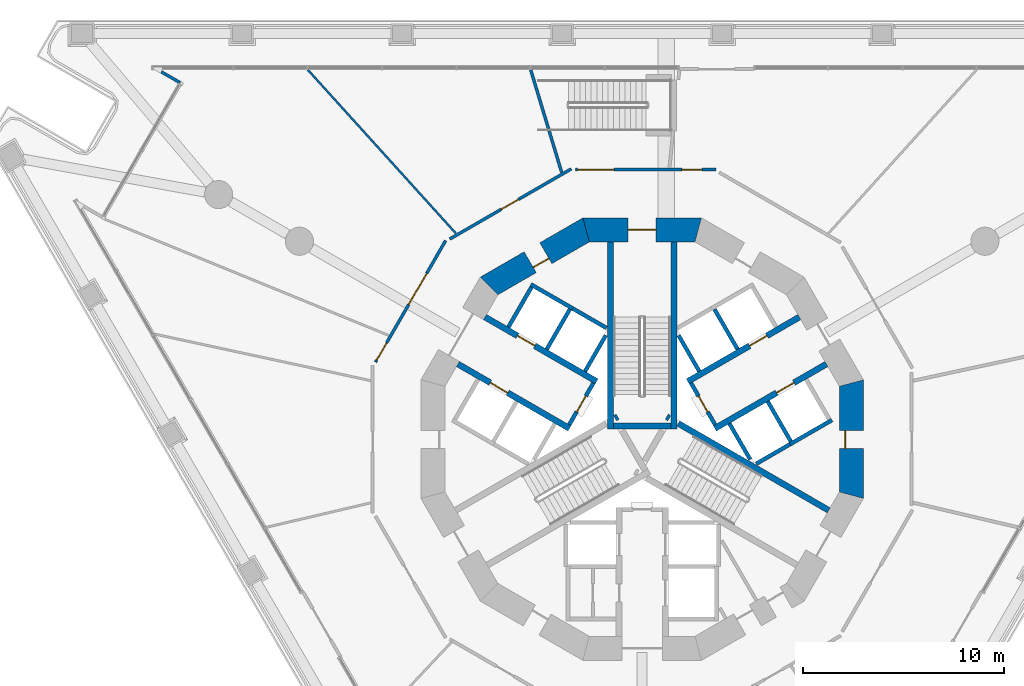
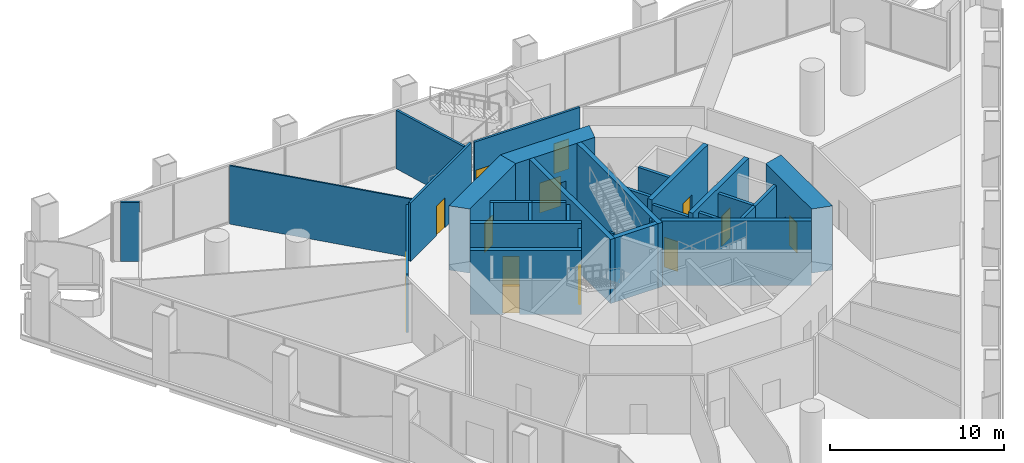
# One storey, part 12 of 21: 32 walls, 14 doors, 14 openings.
"""IFC4 building model written with IfcOpenShell, lengths in metres."""

from ifc_helpers import new_model, si_unit, direction, frame, frame_2d, origin, place, context, subcontext, project, spatial, polyline, rectangle, outline, extrude, material, layer, layer_set, type_object, element, fill, save


model = new_model("IFC4")

# Units and contexts
model_context = context("Model", 3, precision=1e-05, world=origin(), true_north=direction((0.0, 1.0)))
body_context = subcontext(model_context, "Body", "Model", "MODEL_VIEW")
ifc_project = project(units=[si_unit("LENGTHUNIT", "METRE"), si_unit("AREAUNIT", "SQUARE_METRE"), si_unit("VOLUMEUNIT", "CUBIC_METRE"), si_unit("PLANEANGLEUNIT", "RADIAN"), si_unit("MASSUNIT", "GRAM", prefix="KILO")], contexts=[model_context])

# Site, building, storey
site_placement = place(None, origin())
site = spatial("IfcSite", under=ifc_project, at=site_placement, CompositionType="ELEMENT")
building_placement = place(site_placement, origin())
building = spatial("IfcBuilding", under=site, at=building_placement, Name="Trine Commons Tower", CompositionType="ELEMENT")
storey_placement = place(building_placement, frame((0.0, 0.0, 9.0)))
storey = spatial("IfcBuildingStorey", under=building, at=storey_placement, Name="L01", CompositionType="ELEMENT", Elevation=9.0)

# Wall, openings, doors
ifc_material_1 = material(Name="Plasterboard on steel stud", Category="steel")
ifc_layer_1 = layer(ifc_material_1, 0.14990234375)
ifc_layer_set_1 = layer_set([ifc_layer_1], Name="Plasterboard on steel stud")
wall_type_1 = type_object("IfcWallType", Name="Compartment wall 150 mm, EI 60", PredefinedType="PARTITIONING", material=ifc_layer_set_1)
wall_1_placement = place(storey_placement, frame((66.728515625, 66.3359375, 0.0), z_axis=(0.0, 0.0, 1.0), x_axis=(0.49997871953, 0.866037689721, 0.0)))
wall_1 = element("IfcWall", 1, at=wall_1_placement, inside=storey, type_object=wall_type_1, Name="Partition P1007", PredefinedType="PARTITIONING", context=body_context, shape_type="SweptSolid", body=[
    extrude(rectangle(XDim=6.982177734375, YDim=0.14990234375, at=frame_2d((3.4912109375, 0.0))), origin(), (0.0, 0.0, 1.0), 4.10009765625),
])
opening_1_placement = place(wall_1_placement, frame((0.104736328125, 0.0, 0.0)))
opening_1 = element("IfcOpeningElement", 2, at=opening_1_placement, cuts=wall_1, Name="Opening D-P103", PredefinedType="OPENING", context=body_context, shape_type="SweptSolid", body=[
    extrude(rectangle(XDim=1.0, YDim=2.10009765625, at=frame_2d((0.5, 1.050048828125))), frame((0.0, 0.0849609375, 0.0), z_axis=(0.0, -1.0, 0.0), x_axis=(1.0, 0.0, 0.0)), (0.0, 0.0, 1.0), 0.169921875),
])
opening_2_placement = place(wall_1_placement, frame((3.298095703125, 0.0, 0.0)))
opening_2 = element("IfcOpeningElement", 3, at=opening_2_placement, cuts=wall_1, Name="Opening D-P104", PredefinedType="OPENING", context=body_context, shape_type="SweptSolid", body=[
    extrude(rectangle(XDim=1.800048828125, YDim=2.10009765625, at=frame_2d((0.89990234375, 1.050048828125))), frame((0.0, 0.0849609375, 0.0), z_axis=(0.0, -1.0, 0.0), x_axis=(1.0, 0.0, 0.0)), (0.0, 0.0, 1.0), 0.169921875),
])
ifc_material_2 = material(Name="Timber fire door set", Category="wood")
door_type_1 = type_object("IfcDoorType", Name="Double swing door 1800x2100, FD30S", OperationType="DOUBLE_DOOR_DOUBLE_SWING", PredefinedType="DOOR", material=ifc_material_2)
door_1_placement = place(opening_2_placement, origin())
door_1 = element("IfcDoor", 4, at=door_1_placement, inside=storey, type_object=door_type_1, Name="Door D-P104", OperationType="DOUBLE_DOOR_DOUBLE_SWING", OverallHeight=2.10009765625, OverallWidth=1.800048828125, PredefinedType="DOOR", context=body_context, shape_type="SweptSolid", body=[
    extrude(rectangle(XDim=1.800048828125, YDim=2.10009765625, at=frame_2d((0.89990234375, 1.050048828125))), frame((0.0, 0.02490234375, 0.0), z_axis=(0.0, -1.0, 0.0), x_axis=(1.0, 0.0, 0.0)), (0.0, 0.0, 1.0), 0.050048828125),
])
fill(opening_2, door_1)
door_type_2 = type_object("IfcDoorType", Name="Single swing door 1000x2100, FD30S", OperationType="SINGLE_SWING_LEFT", PredefinedType="DOOR", material=ifc_material_2)
door_2_placement = place(opening_1_placement, origin())
door_2 = element("IfcDoor", 5, at=door_2_placement, inside=storey, type_object=door_type_2, Name="Door D-P103", OperationType="SINGLE_SWING_LEFT", OverallHeight=2.10009765625, OverallWidth=1.0, PredefinedType="DOOR", context=body_context, shape_type="SweptSolid", body=[
    extrude(rectangle(XDim=1.0, YDim=2.10009765625, at=frame_2d((0.5, 1.050048828125))), frame((0.0, 0.02490234375, 0.0), z_axis=(0.0, -1.0, 0.0), x_axis=(1.0, 0.0, 0.0)), (0.0, 0.0, 1.0), 0.050048828125),
])
fill(opening_1, door_2)

# Wall, opening, door
wall_2_placement = place(storey_placement, frame((70.424560546875, 72.4580078125, 0.0), z_axis=(0.0, 0.0, 1.0), x_axis=(0.866037689721, 0.49997871953, 0.0)))
wall_2 = element("IfcWall", 6, at=wall_2_placement, inside=storey, type_object=wall_type_1, Name="Partition P1010", PredefinedType="PARTITIONING", context=body_context, shape_type="SweptSolid", body=[
    extrude(rectangle(XDim=6.982177734375, YDim=0.14990234375, at=frame_2d((3.4912109375, 0.0))), origin(), (0.0, 0.0, 1.0), 4.10009765625),
])
opening_3_placement = place(wall_2_placement, frame((2.942626953125, 0.0, 0.0)))
opening_3 = element("IfcOpeningElement", 7, at=opening_3_placement, cuts=wall_2, Name="Opening D-P105", PredefinedType="OPENING", context=body_context, shape_type="SweptSolid", body=[
    extrude(rectangle(XDim=1.0, YDim=2.10009765625, at=frame_2d((0.5, 1.050048828125))), frame((0.0, 0.0849609375, 0.0), z_axis=(0.0, -1.0, 0.0), x_axis=(1.0, 0.0, 0.0)), (0.0, 0.0, 1.0), 0.169921875),
])
door_3_placement = place(opening_3_placement, origin())
door_3 = element("IfcDoor", 8, at=door_3_placement, inside=storey, type_object=door_type_2, Name="Door D-P105", OperationType="SINGLE_SWING_LEFT", OverallHeight=2.10009765625, OverallWidth=1.0, PredefinedType="DOOR", context=body_context, shape_type="SweptSolid", body=[
    extrude(rectangle(XDim=1.0, YDim=2.10009765625, at=frame_2d((0.5, 1.050048828125))), frame((0.0, 0.02490234375, 0.0), z_axis=(0.0, -1.0, 0.0), x_axis=(1.0, 0.0, 0.0)), (0.0, 0.0, 1.0), 0.050048828125),
])
fill(opening_3, door_3)

# Wall
wall_3_placement = place(storey_placement, frame((74.451416015625, 80.884521484375, 0.0), z_axis=(0.0, 0.0, 1.0), x_axis=(0.288947597312, -0.95734491486, 0.0)))
element("IfcWall", 9, at=wall_3_placement, inside=storey, type_object=wall_type_1, Name="Partition P1013", PredefinedType="PARTITIONING", context=body_context, shape_type="SweptSolid", body=[
    extrude(rectangle(XDim=5.333251953125, YDim=0.14990234375, at=frame_2d((2.66650390625, 0.0))), origin(), (0.0, 0.0, 1.0), 4.10009765625),
])

# Wall, openings, doors
wall_4_placement = place(storey_placement, frame((76.686279296875, 75.91162109375, 0.0), z_axis=(0.0, 0.0, 1.0), x_axis=(1.0, 0.0, 0.0)))
wall_4 = element("IfcWall", 10, at=wall_4_placement, inside=storey, type_object=wall_type_1, Name="Partition P1016", PredefinedType="PARTITIONING", context=body_context, shape_type="SweptSolid", body=[
    extrude(rectangle(XDim=6.982421875, YDim=0.14990234375, at=frame_2d((3.4912109375, 0.0))), origin(), (0.0, 0.0, 1.0), 4.10009765625),
])
opening_4_placement = place(wall_4_placement, frame((0.10009765625, 0.0, 0.0)))
opening_4 = element("IfcOpeningElement", 11, at=opening_4_placement, cuts=wall_4, Name="Opening D-P109", PredefinedType="OPENING", context=body_context, shape_type="SweptSolid", body=[
    extrude(rectangle(XDim=1.800048828125, YDim=2.10009765625, at=frame_2d((0.89990234375, 1.050048828125))), frame((0.0, 0.0849609375, 0.0), z_axis=(0.0, -1.0, 0.0), x_axis=(1.0, 0.0, 0.0)), (0.0, 0.0, 1.0), 0.169921875),
])
opening_5_placement = place(wall_4_placement, frame((5.284912109375, 0.0, 0.0)))
opening_5 = element("IfcOpeningElement", 12, at=opening_5_placement, cuts=wall_4, Name="Opening D-P110", PredefinedType="OPENING", context=body_context, shape_type="SweptSolid", body=[
    extrude(rectangle(XDim=1.0, YDim=2.10009765625, at=frame_2d((0.5, 1.050048828125))), frame((0.0, 0.0849609375, 0.0), z_axis=(0.0, -1.0, 0.0), x_axis=(1.0, 0.0, 0.0)), (0.0, 0.0, 1.0), 0.169921875),
])
door_4_placement = place(opening_4_placement, origin())
door_4 = element("IfcDoor", 13, at=door_4_placement, inside=storey, type_object=door_type_1, Name="Door D-P109", OperationType="DOUBLE_DOOR_DOUBLE_SWING", OverallHeight=2.10009765625, OverallWidth=1.800048828125, PredefinedType="DOOR", context=body_context, shape_type="SweptSolid", body=[
    extrude(rectangle(XDim=1.800048828125, YDim=2.10009765625, at=frame_2d((0.89990234375, 1.050048828125))), frame((0.0, 0.02490234375, 0.0), z_axis=(0.0, -1.0, 0.0), x_axis=(1.0, 0.0, 0.0)), (0.0, 0.0, 1.0), 0.050048828125),
])
fill(opening_4, door_4)
door_5_placement = place(opening_5_placement, origin())
door_5 = element("IfcDoor", 14, at=door_5_placement, inside=storey, type_object=door_type_2, Name="Door D-P110", OperationType="SINGLE_SWING_LEFT", OverallHeight=2.10009765625, OverallWidth=1.0, PredefinedType="DOOR", context=body_context, shape_type="SweptSolid", body=[
    extrude(rectangle(XDim=1.0, YDim=2.10009765625, at=frame_2d((0.5, 1.050048828125))), frame((0.0, 0.02490234375, 0.0), z_axis=(0.0, -1.0, 0.0), x_axis=(1.0, 0.0, 0.0)), (0.0, 0.0, 1.0), 0.050048828125),
])
fill(opening_5, door_5)

# Wall
ifc_material_3 = material(Name="Aluminium-framed insulated wall panel", Category="aluminium")
ifc_layer_2 = layer(ifc_material_3, 0.14990234375)
ifc_layer_set_2 = layer_set([ifc_layer_2], Name="Aluminium-framed insulated wall panel")
wall_type_2 = type_object("IfcWallType", Name="Glazed frame wall 150, EI 60", PredefinedType="SOLIDWALL", material=ifc_layer_set_2)
wall_5_placement = place(storey_placement, frame((57.104248046875, 80.181884765625, 0.0), z_axis=(0.0, 0.0, 1.0), x_axis=(-0.86606770004, 0.49992673358, 0.0)))
element("IfcWall", 15, at=wall_5_placement, inside=storey, type_object=wall_type_2, Name="Glazed frame wall L01 R3", PredefinedType="SOLIDWALL", context=body_context, shape_type="SweptSolid", body=[
    extrude(outline(polyline([(0.110107421875, 0.074951171875), (0.110107421875, -0.074951171875), (1.19580078125, -0.074951171875), (1.19580078125, 0.074951171875), (0.110107421875, 0.074951171875)])), origin(), (0.0, 0.0, 1.0), 4.14990234375),
])

# Wall, opening, door
ifc_material_4 = material(Name="Fire-rated gypsum shaft wall system")
ifc_layer_3 = layer(ifc_material_4, 0.199951171875)
ifc_layer_set_3 = layer_set([ifc_layer_3], Name="Fire-rated gypsum shaft wall system")
wall_type_3 = type_object("IfcWallType", Name="Lobby end wall 200 mm, EI 120", PredefinedType="PARTITIONING", material=ifc_layer_set_3)
wall_6_placement = place(storey_placement, frame((77.569091796875, 65.2890625, 0.0), z_axis=(0.0, 0.0, 1.0), x_axis=(-0.50012165622, -0.865955154139, 0.0)))
wall_6 = element("IfcWall", 16, at=wall_6_placement, inside=storey, type_object=wall_type_3, Name="Lobby end wall L01", PredefinedType="PARTITIONING", context=body_context, shape_type="SweptSolid", body=[
    extrude(rectangle(XDim=2.39990234375, YDim=0.199951171875, at=frame_2d((1.199951171875, 0.0))), origin(), (0.0, 0.0, 1.0), 4.14990234375),
])
opening_6_placement = place(wall_6_placement, frame((0.749755859375, 0.0, 0.0)))
opening_6 = element("IfcOpeningElement", 17, at=opening_6_placement, cuts=wall_6, Name="Opening K04.07", PredefinedType="OPENING", context=body_context, shape_type="SweptSolid", body=[
    extrude(rectangle(XDim=0.89990234375, YDim=2.10009765625, at=frame_2d((0.449951171875, 1.050048828125))), frame((0.0, 0.10986328125, 0.0), z_axis=(0.0, -1.0, 0.0), x_axis=(1.0, 0.0, 0.0)), (0.0, 0.0, 1.0), 0.219970703125),
])
ifc_material_5 = material(Name="Steel door leaf, fire-rated", Category="steel")
door_type_3 = type_object("IfcDoorType", Name="Riser access door, single leaf 900 x 2100, FD60", OperationType="SINGLE_SWING_LEFT", PredefinedType="DOOR", material=ifc_material_5)
door_6_placement = place(opening_6_placement, frame((0.89990234375, 0.0, 0.0), z_axis=(0.0, 0.0, 1.0), x_axis=(-1.0, 0.0, 0.0)))
door_6 = element("IfcDoor", 18, at=door_6_placement, inside=storey, type_object=door_type_3, Name="Riser door, Mechanical riser L01", OperationType="SINGLE_SWING_RIGHT", OverallHeight=2.10009765625, OverallWidth=0.89990234375, PredefinedType="DOOR", context=body_context, shape_type="SweptSolid", body=[
    extrude(rectangle(XDim=0.89990234375, YDim=2.10009765625, at=frame_2d((0.449951171875, 1.050048828125))), frame((0.0, 0.02490234375, 0.0), z_axis=(0.0, -1.0, 0.0), x_axis=(1.0, 0.0, 0.0)), (0.0, 0.0, 1.0), 0.050048828125),
])
fill(opening_6, door_6)

wall_7_placement = place(storey_placement, frame((83.631103515625, 63.2109375, 0.0), z_axis=(0.0, 0.0, 1.0), x_axis=(-0.50012165622, 0.865955154139, 0.0)))
wall_7 = element("IfcWall", 19, at=wall_7_placement, inside=storey, type_object=wall_type_3, Name="Lobby end wall L01", PredefinedType="PARTITIONING", context=body_context, shape_type="SweptSolid", body=[
    extrude(rectangle(XDim=2.39990234375, YDim=0.199951171875, at=frame_2d((1.199951171875, 0.0))), origin(), (0.0, 0.0, 1.0), 4.14990234375),
])
opening_7_placement = place(wall_7_placement, frame((0.749755859375, 0.0, 0.0)))
opening_7 = element("IfcOpeningElement", 20, at=opening_7_placement, cuts=wall_7, Name="Opening K04.05", PredefinedType="OPENING", context=body_context, shape_type="SweptSolid", body=[
    extrude(rectangle(XDim=0.89990234375, YDim=2.10009765625, at=frame_2d((0.449951171875, 1.050048828125))), frame((0.0, 0.10986328125, 0.0), z_axis=(0.0, -1.0, 0.0), x_axis=(1.0, 0.0, 0.0)), (0.0, 0.0, 1.0), 0.219970703125),
])
door_7_placement = place(opening_7_placement, frame((0.89990234375, 0.0, 0.0), z_axis=(0.0, 0.0, 1.0), x_axis=(-1.0, 0.0, 0.0)))
door_7 = element("IfcDoor", 21, at=door_7_placement, inside=storey, type_object=door_type_3, Name="Riser door, Electrical riser L01", OperationType="SINGLE_SWING_LEFT", OverallHeight=2.10009765625, OverallWidth=0.89990234375, PredefinedType="DOOR", context=body_context, shape_type="SweptSolid", body=[
    extrude(rectangle(XDim=0.89990234375, YDim=2.10009765625, at=frame_2d((0.449951171875, 1.050048828125))), frame((0.0, 0.02490234375, 0.0), z_axis=(0.0, -1.0, 0.0), x_axis=(1.0, 0.0, 0.0)), (0.0, 0.0, 1.0), 0.050048828125),
])
fill(opening_7, door_7)

# Wall
ifc_layer_4 = layer(ifc_material_1, 0.10009765625)
ifc_layer_set_4 = layer_set([ifc_layer_4], Name="Plasterboard on steel stud")
wall_type_4 = type_object("IfcWallType", Name="Partition wall 100 mm stud, not rated", PredefinedType="PARTITIONING", material=ifc_layer_set_4)
wall_8_placement = place(storey_placement, frame((63.354736328125, 80.884521484375, 0.0), z_axis=(0.0, 0.0, 1.0), x_axis=(0.671171464025, -0.741302142098, 0.0)))
element("IfcWall", 22, at=wall_8_placement, inside=storey, type_object=wall_type_4, Name="Partition P1004", PredefinedType="PARTITIONING", context=body_context, shape_type="SweptSolid", body=[
    extrude(rectangle(XDim=10.99365234375, YDim=0.10009765625, at=frame_2d((5.496826171875, 0.0))), origin(), (0.0, 0.0, 1.0), 4.10009765625),
])

# Wall, opening, door
ifc_material_6 = material(Name="Concrete C80/95", Category="concrete")
ifc_layer_5 = layer(ifc_material_6, 1.199951171875)
ifc_layer_set_5 = layer_set([ifc_layer_5], Name="Concrete C80/95")
wall_type_5 = type_object("IfcWallType", Name="RC shear wall 1200 mm, C80/95", PredefinedType="SHEAR", material=ifc_layer_set_5)
wall_9_placement = place(storey_placement, frame((90.41162109375, 59.549560546875, 0.0), z_axis=(0.0, 0.0, 1.0), x_axis=(0.0, 1.0, 0.0)))
wall_9 = element("IfcWall", 23, at=wall_9_placement, inside=storey, type_object=wall_type_5, Name="Core wall CWA-01 L01", PredefinedType="SHEAR", context=body_context, shape_type="SweptSolid", body=[
    extrude(outline(polyline([(0.0, -0.60009765625), (5.90087890625, -0.60009765625), (5.57958984375, 0.60009765625), (0.321533203125, 0.60009765625), (0.0, -0.60009765625)])), origin(), (0.0, 0.0, 1.0), 4.5),
])
opening_8_placement = place(wall_9_placement, frame((2.4755859375, 0.0, 0.0)))
opening_8 = element("IfcOpeningElement", 24, at=opening_8_placement, cuts=wall_9, Name="Opening K04.18", PredefinedType="OPENING", context=body_context, shape_type="SweptSolid", body=[
    extrude(rectangle(XDim=0.89990234375, YDim=2.10009765625, at=frame_2d((0.449951171875, 1.050048828125))), frame((0.0, 0.60986328125, 0.0), z_axis=(0.0, -1.0, 0.0), x_axis=(1.0, 0.0, 0.0)), (0.0, 0.0, 1.0), 1.219970703125),
])
door_type_4 = type_object("IfcDoorType", Name="Core room door, single leaf 900 x 2100, FD30S", OperationType="SINGLE_SWING_LEFT", PredefinedType="DOOR", material=ifc_material_5)
door_8_placement = place(opening_8_placement, origin())
door_8 = element("IfcDoor", 25, at=door_8_placement, inside=storey, type_object=door_type_4, Name="Door to Parcel store L01", OperationType="SINGLE_SWING_LEFT", OverallHeight=2.10009765625, OverallWidth=0.89990234375, PredefinedType="DOOR", context=body_context, shape_type="SweptSolid", body=[
    extrude(rectangle(XDim=0.89990234375, YDim=2.10009765625, at=frame_2d((0.449951171875, 1.050048828125))), frame((0.0, 0.3251953125, 0.0), z_axis=(0.0, -1.0, 0.0), x_axis=(1.0, 0.0, 0.0)), (0.0, 0.0, 1.0), 0.050048828125),
])
fill(opening_8, door_8)

wall_10_placement = place(storey_placement, frame((82.950439453125, 72.91162109375, 0.0), z_axis=(0.0, 0.0, 1.0), x_axis=(-1.0, 0.0, 0.0)))
wall_10 = element("IfcWall", 26, at=wall_10_placement, inside=storey, type_object=wall_type_5, Name="Core wall CWA-04 L01", PredefinedType="SHEAR", context=body_context, shape_type="SweptSolid", body=[
    extrude(outline(polyline([(0.0, -0.60009765625), (5.90087890625, -0.60009765625), (5.57958984375, 0.60009765625), (0.321533203125, 0.60009765625), (0.0, -0.60009765625)])), origin(), (0.0, 0.0, 1.0), 4.5),
])
opening_9_placement = place(wall_10_placement, frame((2.25048828125, 0.0, 0.0)))
opening_9 = element("IfcOpeningElement", 27, at=opening_9_placement, cuts=wall_10, Name="Opening K04.01", PredefinedType="OPENING", context=body_context, shape_type="SweptSolid", body=[
    extrude(rectangle(XDim=1.39990234375, YDim=2.10009765625, at=frame_2d((0.699951171875, 1.050048828125))), frame((0.0, 0.60986328125, 0.0), z_axis=(0.0, -1.0, 0.0), x_axis=(1.0, 0.0, 0.0)), (0.0, 0.0, 1.0), 1.219970703125),
])
ifc_material_7 = material(Name="Steel door leaves, fire-rated", Category="steel")
door_type_5 = type_object("IfcDoorType", Name="Stair door, double leaf 1400 x 2100, FD90", OperationType="DOUBLE_DOOR_SINGLE_SWING", PredefinedType="DOOR", material=ifc_material_7)
door_9_placement = place(opening_9_placement, origin())
door_9 = element("IfcDoor", 28, at=door_9_placement, inside=storey, type_object=door_type_5, Name="Stair door to Exit stair ST1A L01", OperationType="DOUBLE_DOOR_SINGLE_SWING", OverallHeight=2.10009765625, OverallWidth=1.39990234375, PredefinedType="DOOR", context=body_context, shape_type="SweptSolid", body=[
    extrude(rectangle(XDim=1.39990234375, YDim=2.10009765625, at=frame_2d((0.699951171875, 1.050048828125))), frame((0.0, 0.02490234375, 0.0), z_axis=(0.0, -1.0, 0.0), x_axis=(1.0, 0.0, 0.0)), (0.0, 0.0, 1.0), 0.050048828125),
])
fill(opening_9, door_9)

wall_11_placement = place(storey_placement, frame((77.349609375, 72.991943359375, 0.0), z_axis=(0.0, 0.0, 1.0), x_axis=(-0.866037463336, -0.499979111662, 0.0)))
wall_11 = element("IfcWall", 29, at=wall_11_placement, inside=storey, type_object=wall_type_5, Name="Core wall CWA-05 L01", PredefinedType="SHEAR", context=body_context, shape_type="SweptSolid", body=[
    extrude(outline(polyline([(0.0, -0.60009765625), (5.901123046875, -0.60009765625), (5.57958984375, 0.60009765625), (0.321533203125, 0.60009765625), (0.0, -0.60009765625)])), origin(), (0.0, 0.0, 1.0), 4.5),
])
opening_10_placement = place(wall_11_placement, frame((2.474853515625, 0.0, 0.0)))
opening_10 = element("IfcOpeningElement", 30, at=opening_10_placement, cuts=wall_11, Name="Opening K04.13", PredefinedType="OPENING", context=body_context, shape_type="SweptSolid", body=[
    extrude(rectangle(XDim=0.89990234375, YDim=2.10009765625, at=frame_2d((0.449951171875, 1.050048828125))), frame((0.0, 0.60986328125, 0.0), z_axis=(0.0, -1.0, 0.0), x_axis=(1.0, 0.0, 0.0)), (0.0, 0.0, 1.0), 1.219970703125),
])
door_10_placement = place(opening_10_placement, origin())
door_10 = element("IfcDoor", 31, at=door_10_placement, inside=storey, type_object=door_type_4, Name="Door to Comms room L01", OperationType="SINGLE_SWING_LEFT", OverallHeight=2.10009765625, OverallWidth=0.89990234375, PredefinedType="DOOR", context=body_context, shape_type="SweptSolid", body=[
    extrude(rectangle(XDim=0.89990234375, YDim=2.10009765625, at=frame_2d((0.449951171875, 1.050048828125))), frame((0.0, 0.3251953125, 0.0), z_axis=(0.0, -1.0, 0.0), x_axis=(1.0, 0.0, 0.0)), (0.0, 0.0, 1.0), 0.050048828125),
])
fill(opening_10, door_10)

ifc_layer_6 = layer(ifc_material_6, 0.300048828125)
ifc_layer_set_6 = layer_set([ifc_layer_6], Name="Concrete C80/95")
wall_type_6 = type_object("IfcWallType", Name="RC shear wall 300 mm, C80/95", PredefinedType="SHEAR", material=ifc_layer_set_6)
wall_12_placement = place(storey_placement, frame((76.381103515625, 63.031005859375, 0.0), z_axis=(0.0, 0.0, 1.0), x_axis=(-0.866032150378, 0.499988314375, 0.0)))
wall_12 = element("IfcWall", 32, at=wall_12_placement, inside=storey, type_object=wall_type_6, Name="Core cross wall SWA-01 L01", PredefinedType="SHEAR", context=body_context, shape_type="SweptSolid", body=[
    extrude(rectangle(XDim=6.412353515625, YDim=0.300048828125, at=frame_2d((3.2060546875, 0.0))), origin(), (0.0, 0.0, 1.0), 4.5),
])
opening_11_placement = place(wall_12_placement, frame((3.55029296875, 0.0, 0.0)))
opening_11 = element("IfcOpeningElement", 33, at=opening_11_placement, cuts=wall_12, Name="Opening LD3", PredefinedType="OPENING", context=body_context, shape_type="SweptSolid", body=[
    extrude(rectangle(XDim=1.0, YDim=2.10009765625, at=frame_2d((0.5, 1.050048828125))), frame((0.0, 0.159912109375, 0.0), z_axis=(0.0, -1.0, 0.0), x_axis=(1.0, 0.0, 0.0)), (0.0, 0.0, 1.0), 0.320068359375),
])
ifc_material_8 = material(Name="Stainless steel sliding door leaves", Category="steel")
door_type_6 = type_object("IfcDoorType", Name="Lift landing door, centre-opening sliding 1000 x 2100, FD90", OperationType="DOUBLE_DOOR_SLIDING", PredefinedType="DOOR", material=ifc_material_8)
door_11_placement = place(opening_11_placement, origin())
door_11 = element("IfcDoor", 34, at=door_11_placement, inside=storey, type_object=door_type_6, Name="Lift landing door LR3 L01", OperationType="DOUBLE_DOOR_SLIDING", OverallHeight=2.10009765625, OverallWidth=1.0, PredefinedType="DOOR", context=body_context, shape_type="SweptSolid", body=[
    extrude(rectangle(XDim=1.0, YDim=2.10009765625, at=frame_2d((0.5, 1.050048828125))), frame((0.0, 0.02490234375, 0.0), z_axis=(0.0, -1.0, 0.0), x_axis=(1.0, 0.0, 0.0)), (0.0, 0.0, 1.0), 0.050048828125),
])
fill(opening_11, door_11)

wall_13_placement = place(storey_placement, frame((77.73095703125, 65.368896484375, 0.0), z_axis=(0.0, 0.0, 1.0), x_axis=(-0.866022631842, 0.500004801114, 0.0)))
wall_13 = element("IfcWall", 35, at=wall_13_placement, inside=storey, type_object=wall_type_6, Name="Core cross wall SWA-02 L01", PredefinedType="SHEAR", context=body_context, shape_type="SweptSolid", body=[
    extrude(rectangle(XDim=6.412109375, YDim=0.300048828125, at=frame_2d((3.2060546875, 0.0))), origin(), (0.0, 0.0, 1.0), 4.5),
])
opening_12_placement = place(wall_13_placement, frame((3.55029296875, 0.0, 0.0)))
opening_12 = element("IfcOpeningElement", 36, at=opening_12_placement, cuts=wall_13, Name="Opening LD4", PredefinedType="OPENING", context=body_context, shape_type="SweptSolid", body=[
    extrude(rectangle(XDim=1.0, YDim=2.10009765625, at=frame_2d((0.5, 1.050048828125))), frame((0.0, 0.159912109375, 0.0), z_axis=(0.0, -1.0, 0.0), x_axis=(1.0, 0.0, 0.0)), (0.0, 0.0, 1.0), 0.320068359375),
])
door_12_placement = place(opening_12_placement, origin())
door_12 = element("IfcDoor", 37, at=door_12_placement, inside=storey, type_object=door_type_6, Name="Lift landing door LR4 L01", OperationType="DOUBLE_DOOR_SLIDING", OverallHeight=2.10009765625, OverallWidth=1.0, PredefinedType="DOOR", context=body_context, shape_type="SweptSolid", body=[
    extrude(rectangle(XDim=1.0, YDim=2.10009765625, at=frame_2d((0.5, 1.050048828125))), frame((0.0, 0.02490234375, 0.0), z_axis=(0.0, -1.0, 0.0), x_axis=(1.0, 0.0, 0.0)), (0.0, 0.0, 1.0), 0.050048828125),
])
fill(opening_12, door_12)

wall_14_placement = place(storey_placement, frame((82.26904296875, 65.368896484375, 0.0), z_axis=(0.0, 0.0, 1.0), x_axis=(0.866022631842, 0.500004801114, 0.0)))
wall_14 = element("IfcWall", 38, at=wall_14_placement, inside=storey, type_object=wall_type_6, Name="Core cross wall SWA-05 L01", PredefinedType="SHEAR", context=body_context, shape_type="SweptSolid", body=[
    extrude(rectangle(XDim=6.412109375, YDim=0.300048828125, at=frame_2d((3.2060546875, 0.0))), origin(), (0.0, 0.0, 1.0), 4.5),
])
opening_13_placement = place(wall_14_placement, frame((3.55029296875, 0.0, 0.0)))
opening_13 = element("IfcOpeningElement", 39, at=opening_13_placement, cuts=wall_14, Name="Opening LD1", PredefinedType="OPENING", context=body_context, shape_type="SweptSolid", body=[
    extrude(rectangle(XDim=1.0, YDim=2.10009765625, at=frame_2d((0.5, 1.050048828125))), frame((0.0, 0.159912109375, 0.0), z_axis=(0.0, -1.0, 0.0), x_axis=(1.0, 0.0, 0.0)), (0.0, 0.0, 1.0), 0.320068359375),
])
door_13_placement = place(opening_13_placement, origin())
door_13 = element("IfcDoor", 40, at=door_13_placement, inside=storey, type_object=door_type_6, Name="Lift landing door LR1 L01", OperationType="DOUBLE_DOOR_SLIDING", OverallHeight=2.10009765625, OverallWidth=1.0, PredefinedType="DOOR", context=body_context, shape_type="SweptSolid", body=[
    extrude(rectangle(XDim=1.0, YDim=2.10009765625, at=frame_2d((0.5, 1.050048828125))), frame((0.0, 0.02490234375, 0.0), z_axis=(0.0, -1.0, 0.0), x_axis=(1.0, 0.0, 0.0)), (0.0, 0.0, 1.0), 0.050048828125),
])
fill(opening_13, door_13)

wall_15_placement = place(storey_placement, frame((83.618896484375, 63.031005859375, 0.0), z_axis=(0.0, 0.0, 1.0), x_axis=(0.866032150378, 0.499988314375, 0.0)))
wall_15 = element("IfcWall", 41, at=wall_15_placement, inside=storey, type_object=wall_type_6, Name="Core cross wall SWA-06 L01", PredefinedType="SHEAR", context=body_context, shape_type="SweptSolid", body=[
    extrude(rectangle(XDim=6.412353515625, YDim=0.300048828125, at=frame_2d((3.2060546875, 0.0))), origin(), (0.0, 0.0, 1.0), 4.5),
])
opening_14_placement = place(wall_15_placement, frame((3.55029296875, 0.0, 0.0)))
opening_14 = element("IfcOpeningElement", 42, at=opening_14_placement, cuts=wall_15, Name="Opening LD2", PredefinedType="OPENING", context=body_context, shape_type="SweptSolid", body=[
    extrude(rectangle(XDim=1.0, YDim=2.10009765625, at=frame_2d((0.5, 1.050048828125))), frame((0.0, 0.159912109375, 0.0), z_axis=(0.0, -1.0, 0.0), x_axis=(1.0, 0.0, 0.0)), (0.0, 0.0, 1.0), 0.320068359375),
])
door_14_placement = place(opening_14_placement, origin())
door_14 = element("IfcDoor", 43, at=door_14_placement, inside=storey, type_object=door_type_6, Name="Lift landing door LR2 L01", OperationType="DOUBLE_DOOR_SLIDING", OverallHeight=2.10009765625, OverallWidth=1.0, PredefinedType="DOOR", context=body_context, shape_type="SweptSolid", body=[
    extrude(rectangle(XDim=1.0, YDim=2.10009765625, at=frame_2d((0.5, 1.050048828125))), frame((0.0, 0.02490234375, 0.0), z_axis=(0.0, -1.0, 0.0), x_axis=(1.0, 0.0, 0.0)), (0.0, 0.0, 1.0), 0.050048828125),
])
fill(opening_14, door_14)

# Walls
wall_16_placement = place(storey_placement, frame((78.425048828125, 63.0009765625, 0.0), z_axis=(0.0, 0.0, 1.0), x_axis=(0.0, 1.0, 0.0)))
element("IfcWall", 44, at=wall_16_placement, inside=storey, type_object=wall_type_6, Name="Core cross wall SWA-08 L01", PredefinedType="SHEAR", context=body_context, shape_type="SweptSolid", body=[
    extrude(rectangle(XDim=9.31103515625, YDim=0.300048828125, at=frame_2d((4.655517578125, 0.0))), origin(), (0.0, 0.0, 1.0), 4.5),
])
for number, where, z_axis, x_axis, name in (
    (45, (78.779052734375, 63.614013671875, 0.0), (0.0, 0.0, 1.0), (-0.867737973955, -0.497021939713, 0.0), "Core cross wall SWA-09 L01"),
    (46, (81.220947265625, 63.614013671875, 0.0), (0.0, 0.0, 1.0), (0.867737973955, -0.497021939713, 0.0), "Core cross wall SWA-15 L01"),
):
    element("IfcWall", number, at=place(storey_placement, frame(where, z_axis=z_axis, x_axis=x_axis)), inside=storey, type_object=wall_type_6, Name=name, PredefinedType="SHEAR", context=body_context, shape_type="SweptSolid", body=[
        extrude(rectangle(XDim=0.14892578125, YDim=0.300048828125, at=frame_2d((0.074462890625, 0.0))), origin(), (0.0, 0.0, 1.0), 4.5),
    ])
wall_17_placement = place(storey_placement, frame((81.425048828125, 63.15087890625, 0.0), z_axis=(0.0, 0.0, 1.0), x_axis=(-1.0, 0.0, 0.0)))
element("IfcWall", 47, at=wall_17_placement, inside=storey, type_object=wall_type_6, Name="Core cross wall SWA-16 L01", PredefinedType="SHEAR", context=body_context, shape_type="SweptSolid", body=[
    extrude(rectangle(XDim=2.85009765625, YDim=0.300048828125, at=frame_2d((1.425048828125, 0.0))), origin(), (0.0, 0.0, 1.0), 4.5),
])
wall_18_placement = place(storey_placement, frame((81.574951171875, 63.0009765625, 0.0), z_axis=(0.0, 0.0, 1.0), x_axis=(0.0, 1.0, 0.0)))
element("IfcWall", 48, at=wall_18_placement, inside=storey, type_object=wall_type_6, Name="Core cross wall SWA-17 L01", PredefinedType="SHEAR", context=body_context, shape_type="SweptSolid", body=[
    extrude(rectangle(XDim=9.31103515625, YDim=0.300048828125, at=frame_2d((4.655517578125, 0.0))), origin(), (0.0, 0.0, 1.0), 4.5),
])
wall_19_placement = place(storey_placement, frame((81.800048828125, 63.280029296875, 0.0), z_axis=(0.0, 0.0, 1.0), x_axis=(0.865965399159, -0.500103916661, 0.0)))
element("IfcWall", 49, at=wall_19_placement, inside=storey, type_object=wall_type_6, Name="Core cross wall SWA-18 L01", PredefinedType="SHEAR", context=body_context, shape_type="SweptSolid", body=[
    extrude(rectangle(XDim=8.642333984375, YDim=0.300048828125, at=frame_2d((4.3212890625, 0.0))), origin(), (0.0, 0.0, 1.0), 4.5),
])
ifc_layer_7 = layer(ifc_material_4, 0.199951171875)
ifc_layer_set_7 = layer_set([ifc_layer_7], Name="Fire-rated gypsum shaft wall system")
wall_type_7 = type_object("IfcWallType", Name="Shaft wall 200 mm, EI 120", PredefinedType="PARTITIONING", material=ifc_layer_set_7)
wall_20_placement = place(storey_placement, frame((73.344970703125, 68.073974609375, 0.0), z_axis=(0.0, 0.0, 1.0), x_axis=(0.500215680983, 0.865900844496, 0.0)))
element("IfcWall", 50, at=wall_20_placement, inside=storey, type_object=wall_type_7, Name="Shaft wall L01", PredefinedType="PARTITIONING", context=body_context, shape_type="SweptSolid", body=[
    extrude(rectangle(XDim=2.29931640625, YDim=0.199951171875, at=frame_2d((1.149658203125, 0.0))), origin(), (0.0, 0.0, 1.0), 4.14990234375),
])
wall_21_placement = place(storey_placement, frame((75.2509765625, 66.97412109375, 0.0), z_axis=(0.0, 0.0, 1.0), x_axis=(0.500136062276, 0.86594683394, 0.0)))
element("IfcWall", 51, at=wall_21_placement, inside=storey, type_object=wall_type_7, Name="Shaft wall L01", PredefinedType="PARTITIONING", context=body_context, shape_type="SweptSolid", body=[
    extrude(rectangle(XDim=2.299072265625, YDim=0.199951171875, at=frame_2d((1.1494140625, 0.0))), origin(), (0.0, 0.0, 1.0), 4.14990234375),
])
wall_22_placement = place(storey_placement, frame((76.5380859375, 69.001953125, 0.0), z_axis=(0.0, 0.0, 1.0), x_axis=(-0.866202511239, 0.499693115345, 0.0)))
element("IfcWall", 52, at=wall_22_placement, inside=storey, type_object=wall_type_7, Name="Shaft wall L01", PredefinedType="PARTITIONING", context=body_context, shape_type="SweptSolid", body=[
    extrude(rectangle(XDim=2.4013671875, YDim=0.199951171875, at=frame_2d((1.20068359375, 0.0))), origin(), (0.0, 0.0, 1.0), 4.14990234375),
])
wall_23_placement = place(storey_placement, frame((77.156005859375, 65.8740234375, 0.0), z_axis=(0.0, 0.0, 1.0), x_axis=(0.499865770674, 0.866102887253, 0.0)))
element("IfcWall", 53, at=wall_23_placement, inside=storey, type_object=wall_type_7, Name="Shaft wall L01", PredefinedType="PARTITIONING", context=body_context, shape_type="SweptSolid", body=[
    extrude(rectangle(XDim=2.064453125, YDim=0.199951171875, at=frame_2d((1.0322265625, 0.0))), origin(), (0.0, 0.0, 1.0), 4.14990234375),
])
wall_24_placement = place(storey_placement, frame((78.22509765625, 68.028076171875, 0.0), z_axis=(0.0, 0.0, 1.0), x_axis=(-0.866052014814, 0.499953905513, 0.0)))
element("IfcWall", 54, at=wall_24_placement, inside=storey, type_object=wall_type_7, Name="Shaft wall L01", PredefinedType="PARTITIONING", context=body_context, shape_type="SweptSolid", body=[
    extrude(rectangle(XDim=1.947998046875, YDim=0.199951171875, at=frame_2d((0.97412109375, 0.0))), origin(), (0.0, 0.0, 1.0), 4.14990234375),
])
wall_25_placement = place(storey_placement, frame((82.843994140625, 65.8740234375, 0.0), z_axis=(0.0, 0.0, 1.0), x_axis=(-0.499865770674, 0.866102887253, 0.0)))
element("IfcWall", 55, at=wall_25_placement, inside=storey, type_object=wall_type_7, Name="Shaft wall L01", PredefinedType="PARTITIONING", context=body_context, shape_type="SweptSolid", body=[
    extrude(rectangle(XDim=2.064453125, YDim=0.199951171875, at=frame_2d((1.0322265625, 0.0))), origin(), (0.0, 0.0, 1.0), 4.14990234375),
])
wall_26_placement = place(storey_placement, frame((84.343994140625, 63.27587890625, 0.0), z_axis=(0.0, 0.0, 1.0), x_axis=(0.500271688072, -0.86586848777, 0.0)))
element("IfcWall", 56, at=wall_26_placement, inside=storey, type_object=wall_type_7, Name="Shaft wall L01", PredefinedType="PARTITIONING", context=body_context, shape_type="SweptSolid", body=[
    extrude(rectangle(XDim=2.064697265625, YDim=0.199951171875, at=frame_2d((1.0322265625, 0.0))), origin(), (0.0, 0.0, 1.0), 4.14990234375),
])
wall_27_placement = place(storey_placement, frame((84.7490234375, 66.97412109375, 0.0), z_axis=(0.0, 0.0, 1.0), x_axis=(-0.500136062276, 0.86594683394, 0.0)))
element("IfcWall", 57, at=wall_27_placement, inside=storey, type_object=wall_type_7, Name="Shaft wall L01", PredefinedType="PARTITIONING", context=body_context, shape_type="SweptSolid", body=[
    extrude(rectangle(XDim=2.299072265625, YDim=0.199951171875, at=frame_2d((1.1494140625, 0.0))), origin(), (0.0, 0.0, 1.0), 4.14990234375),
])
wall_28_placement = place(storey_placement, frame((85.675048828125, 61.27294921875, 0.0), z_axis=(0.0, 0.0, 1.0), x_axis=(0.865780634835, 0.500423712812, 0.0)))
element("IfcWall", 58, at=wall_28_placement, inside=storey, type_object=wall_type_7, Name="Shaft wall L01", PredefinedType="PARTITIONING", context=body_context, shape_type="SweptSolid", body=[
    extrude(rectangle(XDim=1.948486328125, YDim=0.199951171875, at=frame_2d((0.97412109375, 0.0))), origin(), (0.0, 0.0, 1.0), 4.14990234375),
])
wall_29_placement = place(storey_placement, frame((86.2490234375, 64.3759765625, 0.0), z_axis=(0.0, 0.0, 1.0), x_axis=(0.500136062276, -0.86594683394, 0.0)))
element("IfcWall", 59, at=wall_29_placement, inside=storey, type_object=wall_type_7, Name="Shaft wall L01", PredefinedType="PARTITIONING", context=body_context, shape_type="SweptSolid", body=[
    extrude(rectangle(XDim=2.299072265625, YDim=0.199951171875, at=frame_2d((1.1494140625, 0.0))), origin(), (0.0, 0.0, 1.0), 4.14990234375),
])
wall_30_placement = place(storey_placement, frame((87.362060546875, 62.248046875, 0.0), z_axis=(0.0, 0.0, 1.0), x_axis=(0.866177122335, 0.499737123639, 0.0)))
element("IfcWall", 60, at=wall_30_placement, inside=storey, type_object=wall_type_7, Name="Shaft wall L01", PredefinedType="PARTITIONING", context=body_context, shape_type="SweptSolid", body=[
    extrude(rectangle(XDim=2.401123046875, YDim=0.199951171875, at=frame_2d((1.20068359375, 0.0))), origin(), (0.0, 0.0, 1.0), 4.14990234375),
])

save(model, "model.ifc")
